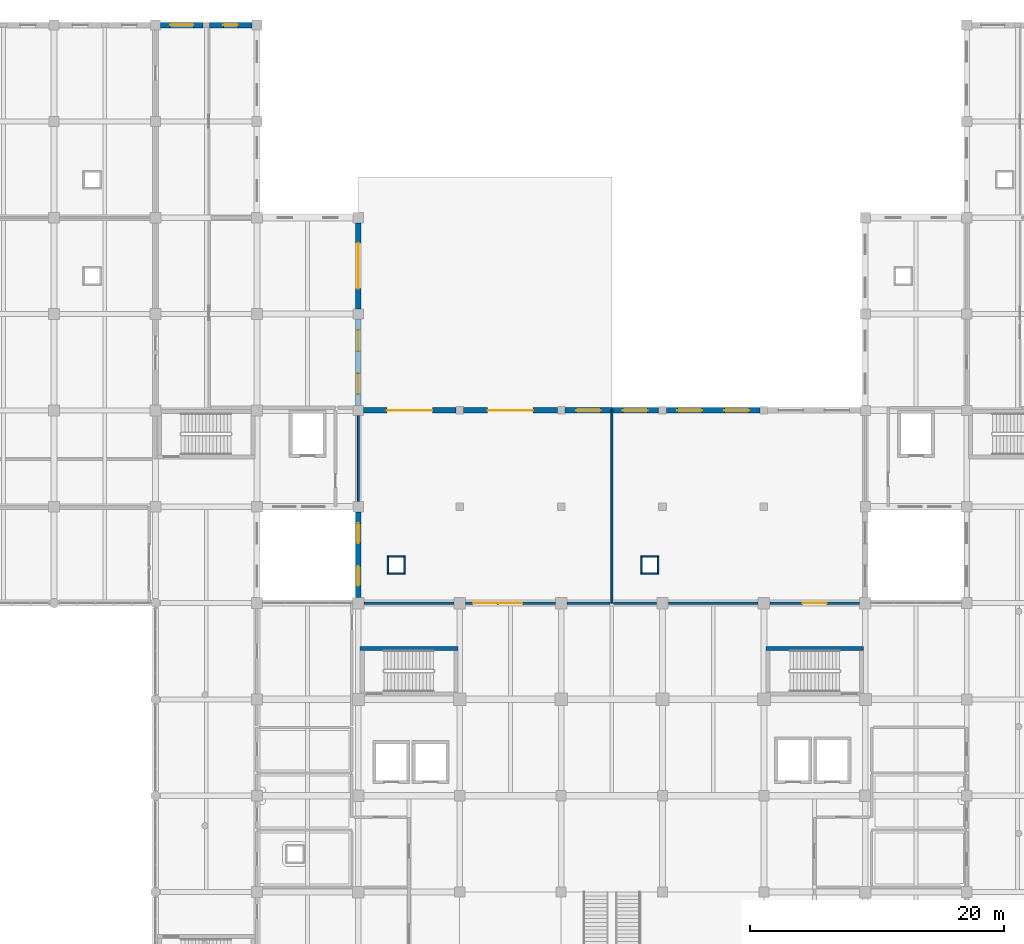
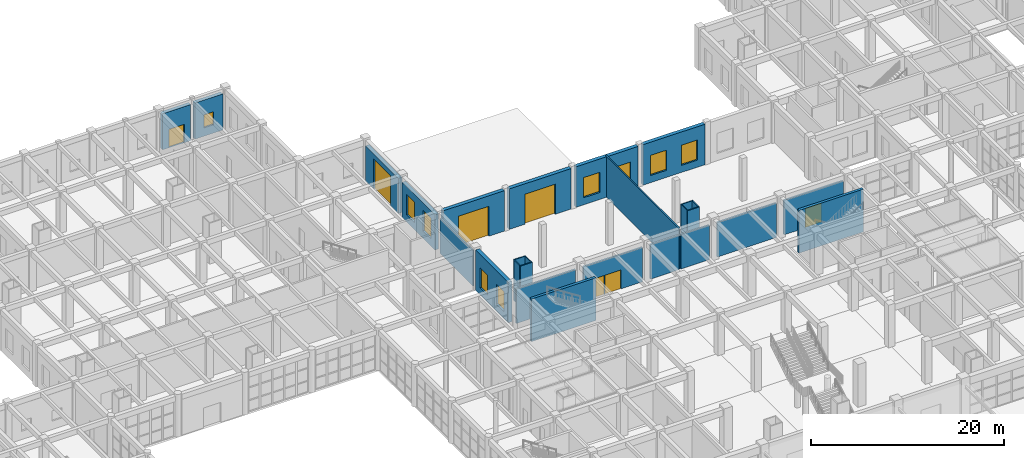
# One storey, part 78 of 95: 28 walls, 9 windows, 7 doors, 16 openings.
"""IFC4 building model written with IfcOpenShell, lengths in metres."""

from ifc_helpers import new_model, si_unit, direction, frame, frame_2d, origin, place, context, subcontext, project, spatial, rectangle, extrude, material, layer, layer_set, type_object, element, fill, save


model = new_model("IFC4")

# Units and contexts
model_context = context("Model", 3, precision=1e-05, world=origin(), true_north=direction((0.0, 1.0)))
body_context = subcontext(model_context, "Body", "Model", "MODEL_VIEW")
ifc_project = project(units=[si_unit("LENGTHUNIT", "METRE"), si_unit("AREAUNIT", "SQUARE_METRE"), si_unit("VOLUMEUNIT", "CUBIC_METRE"), si_unit("PLANEANGLEUNIT", "RADIAN"), si_unit("MASSUNIT", "GRAM", prefix="KILO")], contexts=[model_context])

# Site, building, storey
site_placement = place(None, origin())
site = spatial("IfcSite", under=ifc_project, at=site_placement, CompositionType="ELEMENT")
building_placement = place(site_placement, origin())
building = spatial("IfcBuilding", under=site, at=building_placement, Name="Zantavel Square City Hall", CompositionType="ELEMENT")
storey_placement = place(building_placement, origin())
storey = spatial("IfcBuildingStorey", under=building, at=storey_placement, Name="L01", CompositionType="ELEMENT", Elevation=0.0)

# Walls
ifc_material_1 = material(Name="Concrete C40/50", Category="concrete")
ifc_layer_1 = layer(ifc_material_1, 0.320068359375, Name="Concrete C40/50")
ifc_layer_set_1 = layer_set([ifc_layer_1], Name="Concrete C40/50")
wall_type_1 = type_object("IfcWallType", Name="Core Shear Wall RC 320mm C40/50", PredefinedType="SHEAR", material=ifc_layer_set_1)
for number, where, z_axis, x_axis, name in (
    (1, (64.14990234375, 64.830078125, 0.0), (0.0, 0.0, 1.0), (1.0, 0.0, 0.0), "L01 Exit Stair 5 Central West Core Shear Wall North"),
    (2, (96.14990234375, 64.830078125, 0.0), (0.0, 0.0, 1.0), (1.0, 0.0, 0.0), "L01 Exit Stair 6 Central East Core Shear Wall North"),
):
    element("IfcWall", number, at=place(storey_placement, frame(where, z_axis=z_axis, x_axis=x_axis)), inside=storey, type_object=wall_type_1, Name=name, PredefinedType="SHEAR", context=body_context, shape_type="SweptSolid", body=[
        extrude(rectangle(XDim=7.7001953125, YDim=0.320068359375, at=frame_2d((3.85009765625, 0.0))), origin(), (0.0, 0.0, 1.0), 5.39990234375),
    ])
ifc_material_2 = material(Name="Gypsum acoustic stud assembly", Category="masonry")
ifc_layer_2 = layer(ifc_material_2, 0.14990234375, Name="Gypsum acoustic stud assembly")
ifc_layer_set_2 = layer_set([ifc_layer_2], Name="Gypsum acoustic stud assembly")
wall_type_2 = type_object("IfcWallType", Name="Department Office Partition 150mm", PredefinedType="PARTITIONING", material=ifc_layer_set_2)
wall_1_placement = place(storey_placement, frame((84.0, 83.60009765625, 0.0), z_axis=(0.0, 0.0, 1.0), x_axis=(0.0, -1.0, 0.0)))
element("IfcWall", 3, at=wall_1_placement, inside=storey, type_object=wall_type_2, Name="L01 Interior Wall IW-L01-0137", PredefinedType="PARTITIONING", context=body_context, shape_type="SweptSolid", body=[
    extrude(rectangle(XDim=15.2001953125, YDim=0.14990234375, at=frame_2d((7.60009765625, 0.0))), origin(), (0.0, 0.0, 1.0), 5.159912109375),
])
wall_2_placement = place(storey_placement, frame((64.0, 76.409912109375, 0.0), z_axis=(0.0, 0.0, 1.0), x_axis=(0.0, 1.0, 0.0)))
element("IfcWall", 4, at=wall_2_placement, inside=storey, type_object=wall_type_2, Name="L01 Interior Wall IW-L01-0141", PredefinedType="PARTITIONING", context=body_context, shape_type="SweptSolid", body=[
    extrude(rectangle(XDim=6.780029296875, YDim=0.14990234375, at=frame_2d((3.39013671875, 0.0))), origin(), (0.0, 0.0, 1.0), 4.4599609375),
])
ifc_material_3 = material(Name="Cantera volcanic tuff stone", Category="masonry")
ifc_layer_3 = layer(ifc_material_3, 0.199951171875, Name="Cantera volcanic tuff stone")
ifc_layer_set_3 = layer_set([ifc_layer_3], Name="Cantera volcanic tuff stone")
wall_type_3 = type_object("IfcWallType", Name="Exit Corridor Rated Wall 200mm", PredefinedType="STANDARD", material=ifc_layer_set_3)
wall_3_placement = place(storey_placement, frame((83.875, 68.39990234375, 0.0), z_axis=(0.0, 0.0, 1.0), x_axis=(-1.0, 0.0, 0.0)))
element("IfcWall", 5, at=wall_3_placement, inside=storey, type_object=wall_type_3, Name="L01 Interior Wall IW-L01-0138", PredefinedType="STANDARD", context=body_context, shape_type="SweptSolid", body=[
    extrude(rectangle(XDim=3.4150390625, YDim=0.199951171875, at=frame_2d((1.70751953125, 0.0))), origin(), (0.0, 0.0, 1.0), 4.360107421875),
])

# Wall, openings, doors
wall_4_placement = place(storey_placement, frame((79.5400390625, 68.39990234375, 0.0), z_axis=(0.0, 0.0, 1.0), x_axis=(-1.0, 0.0, 0.0)))
wall_4 = element("IfcWall", 6, at=wall_4_placement, inside=storey, type_object=wall_type_3, Name="L01 Interior Wall IW-L01-0139", PredefinedType="STANDARD", context=body_context, shape_type="SweptSolid", body=[
    extrude(rectangle(XDim=7.080078125, YDim=0.199951171875, at=frame_2d((3.5400390625, 0.0))), origin(), (0.0, 0.0, 1.0), 4.360107421875),
])
opening_1_placement = place(wall_4_placement, frame((2.590087890625, 0.0, 0.0)))
opening_1 = element("IfcOpeningElement", 7, at=opening_1_placement, cuts=wall_4, Name="Opening D-0052", PredefinedType="OPENING", context=body_context, shape_type="SweptSolid", body=[
    extrude(rectangle(XDim=1.89990234375, YDim=2.39990234375, at=frame_2d((0.949951171875, 1.199951171875))), frame((0.0, 0.10986328125, 0.0), z_axis=(0.0, -1.0, 0.0), x_axis=(1.0, 0.0, 0.0)), (0.0, 0.0, 1.0), 0.219970703125),
])
opening_2_placement = place(wall_4_placement, frame((4.590087890625, 0.0, 0.0)))
opening_2 = element("IfcOpeningElement", 8, at=opening_2_placement, cuts=wall_4, Name="Opening D-0073", PredefinedType="OPENING", context=body_context, shape_type="SweptSolid", body=[
    extrude(rectangle(XDim=1.89990234375, YDim=2.39990234375, at=frame_2d((0.949951171875, 1.199951171875))), frame((0.0, 0.10986328125, 0.0), z_axis=(0.0, -1.0, 0.0), x_axis=(1.0, 0.0, 0.0)), (0.0, 0.0, 1.0), 0.219970703125),
])
ifc_material_4 = material(Name="Solid oak hardwood", Category="wood")
door_type_1 = type_object("IfcDoorType", Name="Civic Hall Oak Fire Double Door 1900x2400 FD60S", OperationType="NOTDEFINED", PredefinedType="DOOR", material=ifc_material_4)
door_1_placement = place(opening_1_placement, origin())
door_1 = element("IfcDoor", 9, at=door_1_placement, inside=storey, type_object=door_type_1, Name="L01 North-West Civic Concourse Door", OperationType="DOUBLE_DOOR_SINGLE_SWING", OverallHeight=2.39990234375, OverallWidth=1.89990234375, PredefinedType="DOOR", context=body_context, shape_type="SweptSolid", body=[
    extrude(rectangle(XDim=1.89990234375, YDim=2.39990234375, at=frame_2d((0.949951171875, 1.199951171875))), frame((0.0, 0.02490234375, 0.0), z_axis=(0.0, -1.0, 0.0), x_axis=(1.0, 0.0, 0.0)), (0.0, 0.0, 1.0), 0.050048828125),
])
fill(opening_1, door_1)
door_2_placement = place(opening_2_placement, origin())
door_2 = element("IfcDoor", 10, at=door_2_placement, inside=storey, type_object=door_type_1, Name="L01 North-West Civic Concourse Door", OperationType="DOUBLE_DOOR_SINGLE_SWING", OverallHeight=2.39990234375, OverallWidth=1.89990234375, PredefinedType="DOOR", context=body_context, shape_type="SweptSolid", body=[
    extrude(rectangle(XDim=1.89990234375, YDim=2.39990234375, at=frame_2d((0.949951171875, 1.199951171875))), frame((0.0, 0.02490234375, 0.0), z_axis=(0.0, -1.0, 0.0), x_axis=(1.0, 0.0, 0.0)), (0.0, 0.0, 1.0), 0.050048828125),
])
fill(opening_2, door_2)

# Wall
wall_5_placement = place(storey_placement, frame((71.5400390625, 68.39990234375, 0.0), z_axis=(0.0, 0.0, 1.0), x_axis=(-1.0, 0.0, 0.0)))
element("IfcWall", 11, at=wall_5_placement, inside=storey, type_object=wall_type_3, Name="L01 Interior Wall IW-L01-0140", PredefinedType="STANDARD", context=body_context, shape_type="SweptSolid", body=[
    extrude(rectangle(XDim=7.080078125, YDim=0.199951171875, at=frame_2d((3.5400390625, 0.0))), origin(), (0.0, 0.0, 1.0), 4.360107421875),
])

# Wall, opening, door
wall_6_placement = place(storey_placement, frame((103.5400390625, 68.39990234375, 0.0), z_axis=(0.0, 0.0, 1.0), x_axis=(-1.0, 0.0, 0.0)))
wall_6 = element("IfcWall", 12, at=wall_6_placement, inside=storey, type_object=wall_type_3, Name="L01 Interior Wall IW-L01-0142", PredefinedType="STANDARD", context=body_context, shape_type="SweptSolid", body=[
    extrude(rectangle(XDim=7.080078125, YDim=0.199951171875, at=frame_2d((3.5400390625, 0.0))), origin(), (0.0, 0.0, 1.0), 4.360107421875),
])
opening_3_placement = place(wall_6_placement, frame((2.590087890625, 0.0, 0.0)))
opening_3 = element("IfcOpeningElement", 13, at=opening_3_placement, cuts=wall_6, Name="Opening D-0053", PredefinedType="OPENING", context=body_context, shape_type="SweptSolid", body=[
    extrude(rectangle(XDim=1.89990234375, YDim=2.39990234375, at=frame_2d((0.949951171875, 1.199951171875))), frame((0.0, 0.10986328125, 0.0), z_axis=(0.0, -1.0, 0.0), x_axis=(1.0, 0.0, 0.0)), (0.0, 0.0, 1.0), 0.219970703125),
])
door_3_placement = place(opening_3_placement, origin())
door_3 = element("IfcDoor", 14, at=door_3_placement, inside=storey, type_object=door_type_1, Name="L01 North-East Civic Concourse Door", OperationType="DOUBLE_DOOR_SINGLE_SWING", OverallHeight=2.39990234375, OverallWidth=1.89990234375, PredefinedType="DOOR", context=body_context, shape_type="SweptSolid", body=[
    extrude(rectangle(XDim=1.89990234375, YDim=2.39990234375, at=frame_2d((0.949951171875, 1.199951171875))), frame((0.0, 0.02490234375, 0.0), z_axis=(0.0, -1.0, 0.0), x_axis=(1.0, 0.0, 0.0)), (0.0, 0.0, 1.0), 0.050048828125),
])
fill(opening_3, door_3)

# Walls
wall_7_placement = place(storey_placement, frame((95.5400390625, 68.39990234375, 0.0), z_axis=(0.0, 0.0, 1.0), x_axis=(-1.0, 0.0, 0.0)))
element("IfcWall", 15, at=wall_7_placement, inside=storey, type_object=wall_type_3, Name="L01 Interior Wall IW-L01-0143", PredefinedType="STANDARD", context=body_context, shape_type="SweptSolid", body=[
    extrude(rectangle(XDim=7.080078125, YDim=0.199951171875, at=frame_2d((3.5400390625, 0.0))), origin(), (0.0, 0.0, 1.0), 4.360107421875),
])
wall_8_placement = place(storey_placement, frame((87.5400390625, 68.39990234375, 0.0), z_axis=(0.0, 0.0, 1.0), x_axis=(-1.0, 0.0, 0.0)))
element("IfcWall", 16, at=wall_8_placement, inside=storey, type_object=wall_type_3, Name="L01 Interior Wall IW-L01-0144", PredefinedType="STANDARD", context=body_context, shape_type="SweptSolid", body=[
    extrude(rectangle(XDim=3.4150390625, YDim=0.199951171875, at=frame_2d((1.70751953125, 0.0))), origin(), (0.0, 0.0, 1.0), 4.360107421875),
])
ifc_material_5 = material(Name="Concrete C35/45", Category="concrete")
ifc_layer_4 = layer(ifc_material_5, 0.1201171875, Name="Concrete C35/45")
ifc_layer_set_4 = layer_set([ifc_layer_4], Name="Concrete C35/45")
wall_type_4 = type_object("IfcWallType", Name="Riser Chase Wall RC 120mm C35/45", PredefinedType="PARTITIONING", material=ifc_layer_set_4)
wall_9_placement = place(storey_placement, frame((87.719970703125, 70.739990234375, 0.0), z_axis=(0.0, 0.0, 1.0), x_axis=(-1.0, 0.0, 0.0)))
element("IfcWall", 17, at=wall_9_placement, inside=storey, type_object=wall_type_4, Name="L01 MEP Riser 25 Wall S", PredefinedType="PARTITIONING", context=body_context, shape_type="SweptSolid", body=[
    extrude(rectangle(XDim=1.43994140625, YDim=0.1201171875, at=frame_2d((0.719970703125, 0.0))), origin(), (0.0, 0.0, 1.0), 5.159912109375),
])
wall_10_placement = place(storey_placement, frame((86.340087890625, 70.800048828125, 0.0), z_axis=(0.0, 0.0, 1.0), x_axis=(0.0, 1.0, 0.0)))
element("IfcWall", 18, at=wall_10_placement, inside=storey, type_object=wall_type_4, Name="L01 MEP Riser 25 Wall W", PredefinedType="PARTITIONING", context=body_context, shape_type="SweptSolid", body=[
    extrude(rectangle(XDim=1.199951171875, YDim=0.1201171875, at=frame_2d((0.60009765625, 0.0))), origin(), (0.0, 0.0, 1.0), 5.159912109375),
])
wall_11_placement = place(storey_placement, frame((86.280029296875, 72.06005859375, 0.0), z_axis=(0.0, 0.0, 1.0), x_axis=(1.0, 0.0, 0.0)))
element("IfcWall", 19, at=wall_11_placement, inside=storey, type_object=wall_type_4, Name="L01 MEP Riser 25 Wall N", PredefinedType="PARTITIONING", context=body_context, shape_type="SweptSolid", body=[
    extrude(rectangle(XDim=1.43994140625, YDim=0.1201171875, at=frame_2d((0.719970703125, 0.0))), origin(), (0.0, 0.0, 1.0), 5.159912109375),
])
wall_12_placement = place(storey_placement, frame((87.659912109375, 72.0, 0.0), z_axis=(0.0, 0.0, 1.0), x_axis=(0.0, -1.0, 0.0)))
element("IfcWall", 20, at=wall_12_placement, inside=storey, type_object=wall_type_4, Name="L01 MEP Riser 25 Wall E", PredefinedType="PARTITIONING", context=body_context, shape_type="SweptSolid", body=[
    extrude(rectangle(XDim=1.199951171875, YDim=0.1201171875, at=frame_2d((0.60009765625, 0.0))), origin(), (0.0, 0.0, 1.0), 5.159912109375),
])
wall_13_placement = place(storey_placement, frame((67.719970703125, 70.739990234375, 0.0), z_axis=(0.0, 0.0, 1.0), x_axis=(-1.0, 0.0, 0.0)))
element("IfcWall", 21, at=wall_13_placement, inside=storey, type_object=wall_type_4, Name="L01 MEP Riser 31 Wall S", PredefinedType="PARTITIONING", context=body_context, shape_type="SweptSolid", body=[
    extrude(rectangle(XDim=1.43994140625, YDim=0.1201171875, at=frame_2d((0.719970703125, 0.0))), origin(), (0.0, 0.0, 1.0), 5.159912109375),
])
wall_14_placement = place(storey_placement, frame((66.340087890625, 70.800048828125, 0.0), z_axis=(0.0, 0.0, 1.0), x_axis=(0.0, 1.0, 0.0)))
element("IfcWall", 22, at=wall_14_placement, inside=storey, type_object=wall_type_4, Name="L01 MEP Riser 31 Wall W", PredefinedType="PARTITIONING", context=body_context, shape_type="SweptSolid", body=[
    extrude(rectangle(XDim=1.199951171875, YDim=0.1201171875, at=frame_2d((0.60009765625, 0.0))), origin(), (0.0, 0.0, 1.0), 5.159912109375),
])
wall_15_placement = place(storey_placement, frame((66.280029296875, 72.06005859375, 0.0), z_axis=(0.0, 0.0, 1.0), x_axis=(1.0, 0.0, 0.0)))
element("IfcWall", 23, at=wall_15_placement, inside=storey, type_object=wall_type_4, Name="L01 MEP Riser 31 Wall N", PredefinedType="PARTITIONING", context=body_context, shape_type="SweptSolid", body=[
    extrude(rectangle(XDim=1.43994140625, YDim=0.1201171875, at=frame_2d((0.719970703125, 0.0))), origin(), (0.0, 0.0, 1.0), 5.159912109375),
])
wall_16_placement = place(storey_placement, frame((67.659912109375, 72.0, 0.0), z_axis=(0.0, 0.0, 1.0), x_axis=(0.0, -1.0, 0.0)))
element("IfcWall", 24, at=wall_16_placement, inside=storey, type_object=wall_type_4, Name="L01 MEP Riser 31 Wall E", PredefinedType="PARTITIONING", context=body_context, shape_type="SweptSolid", body=[
    extrude(rectangle(XDim=1.199951171875, YDim=0.1201171875, at=frame_2d((0.60009765625, 0.0))), origin(), (0.0, 0.0, 1.0), 5.159912109375),
])

# Wall, opening, door
ifc_material_6 = material(Name="Tezontle volcanic basaltic scoria stone", Category="masonry")
ifc_layer_5 = layer(ifc_material_6, 0.43994140625, Name="Tezontle volcanic basaltic scoria stone")
ifc_layer_set_5 = layer_set([ifc_layer_5], Name="Tezontle volcanic basaltic scoria stone")
wall_type_5 = type_object("IfcWallType", Name="Tezontle Rusticated Plinth Wall 440mm", PredefinedType="STANDARD", material=ifc_layer_set_5)
wall_17_placement = place(storey_placement, frame((48.39990234375, 114.0, 0.0), z_axis=(0.0, 0.0, 1.0), x_axis=(1.0, 0.0, 0.0)))
wall_17 = element("IfcWall", 25, at=wall_17_placement, inside=storey, type_object=wall_type_5, Name="L01 Exterior Wall EW-L01-016", PredefinedType="STANDARD", context=body_context, shape_type="SweptSolid", body=[
    extrude(rectangle(XDim=3.35009765625, YDim=0.43994140625, at=frame_2d((1.675048828125, 0.0))), origin(), (0.0, 0.0, 1.0), 4.56005859375),
])
opening_4_placement = place(wall_17_placement, frame((0.7548828125, 0.0, 0.0)))
opening_4 = element("IfcOpeningElement", 26, at=opening_4_placement, cuts=wall_17, Name="Opening ED-001", PredefinedType="OPENING", context=body_context, shape_type="SweptSolid", body=[
    extrude(rectangle(XDim=1.840087890625, YDim=2.320068359375, at=frame_2d((0.919921875, 1.16015625))), frame((0.0, 0.22998046875, 0.0), z_axis=(0.0, -1.0, 0.0), x_axis=(1.0, 0.0, 0.0)), (0.0, 0.0, 1.0), 0.4599609375),
])
ifc_material_7 = material(Name="Steel ASTM A500 Grade B", Category="steel")
door_type_2 = type_object("IfcDoorType", Name="Stair Final Discharge Exit Door 1840x2320", OperationType="NOTDEFINED", PredefinedType="DOOR", material=ifc_material_7)
door_4_placement = place(opening_4_placement, origin())
door_4 = element("IfcDoor", 27, at=door_4_placement, inside=storey, type_object=door_type_2, Name="North-West Wing Street Exit", OperationType="DOUBLE_DOOR_SINGLE_SWING", OverallHeight=2.320068359375, OverallWidth=1.840087890625, PredefinedType="DOOR", context=body_context, shape_type="SweptSolid", body=[
    extrude(rectangle(XDim=1.840087890625, YDim=2.320068359375, at=frame_2d((0.919921875, 1.16015625))), frame((0.0, 0.02490234375, 0.0), z_axis=(0.0, -1.0, 0.0), x_axis=(1.0, 0.0, 0.0)), (0.0, 0.0, 1.0), 0.050048828125),
])
fill(opening_4, door_4)

# Wall, opening, window
wall_18_placement = place(storey_placement, frame((52.25, 114.0, 0.0), z_axis=(0.0, 0.0, 1.0), x_axis=(1.0, 0.0, 0.0)))
wall_18 = element("IfcWall", 28, at=wall_18_placement, inside=storey, type_object=wall_type_5, Name="L01 Exterior Wall EW-L01-017", PredefinedType="STANDARD", context=body_context, shape_type="SweptSolid", body=[
    extrude(rectangle(XDim=3.35009765625, YDim=0.43994140625, at=frame_2d((1.675048828125, 0.0))), origin(), (0.0, 0.0, 1.0), 4.56005859375),
])
opening_5_placement = place(wall_18_placement, frame((1.10009765625, 0.0, 1.050048828125)))
opening_5 = element("IfcOpeningElement", 29, at=opening_5_placement, cuts=wall_18, Name="Opening W-026", PredefinedType="OPENING", context=body_context, shape_type="SweptSolid", body=[
    extrude(rectangle(XDim=1.14990234375, YDim=1.64990234375, at=frame_2d((0.574951171875, 0.824951171875))), frame((0.0, 0.22998046875, 0.0), z_axis=(0.0, -1.0, 0.0), x_axis=(1.0, 0.0, 0.0)), (0.0, 0.0, 1.0), 0.4599609375),
])
ifc_material_8 = material(Name="Tempered safety glass low-E double glazing", Category="glass")
window_type_1 = type_object("IfcWindowType", Name="Window Ground North Compact 1150x1650", PartitioningType="SINGLE_PANEL", PredefinedType="WINDOW", material=ifc_material_8)
window_1_placement = place(opening_5_placement, origin())
window_1 = element("IfcWindow", 30, at=window_1_placement, inside=storey, type_object=window_type_1, Name="L01 Window W-026", OverallHeight=1.64990234375, OverallWidth=1.14990234375, PartitioningType="SINGLE_PANEL", PredefinedType="WINDOW", context=body_context, shape_type="SweptSolid", body=[
    extrude(rectangle(XDim=1.14990234375, YDim=1.64990234375, at=frame_2d((0.574951171875, 0.824951171875))), frame((0.0, 0.030029296875, 0.0), z_axis=(0.0, -1.0, 0.0), x_axis=(1.0, 0.0, 0.0)), (0.0, 0.0, 1.0), 0.06005859375),
])
fill(opening_5, window_1)

# Wall, opening, door
wall_19_placement = place(storey_placement, frame((64.0, 98.39990234375, 0.0), z_axis=(0.0, 0.0, 1.0), x_axis=(0.0, -1.0, 0.0)))
wall_19 = element("IfcWall", 31, at=wall_19_placement, inside=storey, type_object=wall_type_5, Name="L01 Exterior Wall EW-L01-021", PredefinedType="STANDARD", context=body_context, shape_type="SweptSolid", body=[
    extrude(rectangle(XDim=6.7998046875, YDim=0.43994140625, at=frame_2d((3.39990234375, 0.0))), origin(), (0.0, 0.0, 1.0), 4.4599609375),
])
opening_6_placement = place(wall_19_placement, frame((1.60009765625, 0.0, 0.0)))
opening_6 = element("IfcOpeningElement", 32, at=opening_6_placement, cuts=wall_19, Name="Opening ED-002", PredefinedType="OPENING", context=body_context, shape_type="SweptSolid", body=[
    extrude(rectangle(XDim=3.60009765625, YDim=3.800048828125, at=frame_2d((1.800048828125, 1.89990234375))), frame((0.0, 0.22998046875, 0.0), z_axis=(0.0, -1.0, 0.0), x_axis=(1.0, 0.0, 0.0)), (0.0, 0.0, 1.0), 0.4599609375),
])
door_type_3 = type_object("IfcDoorType", Name="Loading Dock Roller Shutter Gate 3600x3800", OperationType="NOTDEFINED", PredefinedType="GATE", material=ifc_material_7)
door_5_placement = place(opening_6_placement, origin())
door_5 = element("IfcDoor", 33, at=door_5_placement, inside=storey, type_object=door_type_3, Name="Loading Dock Bay 1 Shutter Gate", OperationType="ROLLINGUP", OverallHeight=3.800048828125, OverallWidth=3.60009765625, PredefinedType="GATE", context=body_context, shape_type="SweptSolid", body=[
    extrude(rectangle(XDim=3.60009765625, YDim=3.800048828125, at=frame_2d((1.800048828125, 1.89990234375))), frame((0.0, 0.02490234375, 0.0), z_axis=(0.0, -1.0, 0.0), x_axis=(1.0, 0.0, 0.0)), (0.0, 0.0, 1.0), 0.050048828125),
])
fill(opening_6, door_5)

# Wall, openings, windows
wall_20_placement = place(storey_placement, frame((64.0, 90.800048828125, 0.0), z_axis=(0.0, 0.0, 1.0), x_axis=(0.0, -1.0, 0.0)))
wall_20 = element("IfcWall", 34, at=wall_20_placement, inside=storey, type_object=wall_type_5, Name="L01 Exterior Wall EW-L01-022", PredefinedType="STANDARD", context=body_context, shape_type="SweptSolid", body=[
    extrude(rectangle(XDim=6.800048828125, YDim=0.43994140625, at=frame_2d((3.39990234375, 0.0))), origin(), (0.0, 0.0, 1.0), 4.4599609375),
])
opening_7_placement = place(wall_20_placement, frame((0.875, 0.0, 0.89990234375)))
opening_7 = element("IfcOpeningElement", 35, at=opening_7_placement, cuts=wall_20, Name="Opening W-033", PredefinedType="OPENING", context=body_context, shape_type="SweptSolid", body=[
    extrude(rectangle(XDim=1.64990234375, YDim=2.60009765625, at=frame_2d((0.824951171875, 1.300048828125))), frame((0.0, 0.22998046875, 0.0), z_axis=(0.0, -1.0, 0.0), x_axis=(1.0, 0.0, 0.0)), (0.0, 0.0, 1.0), 0.4599609375),
])
opening_8_placement = place(wall_20_placement, frame((4.27490234375, 0.0, 0.89990234375)))
opening_8 = element("IfcOpeningElement", 36, at=opening_8_placement, cuts=wall_20, Name="Opening W-034", PredefinedType="OPENING", context=body_context, shape_type="SweptSolid", body=[
    extrude(rectangle(XDim=1.64990234375, YDim=2.60009765625, at=frame_2d((0.824951171875, 1.300048828125))), frame((0.0, 0.22998046875, 0.0), z_axis=(0.0, -1.0, 0.0), x_axis=(1.0, 0.0, 0.0)), (0.0, 0.0, 1.0), 0.4599609375),
])
window_type_2 = type_object("IfcWindowType", Name="Window Ground Civic Tall 1650x2600", PartitioningType="DOUBLE_PANEL_VERTICAL", PredefinedType="WINDOW", material=ifc_material_8)
window_2_placement = place(opening_7_placement, origin())
window_2 = element("IfcWindow", 37, at=window_2_placement, inside=storey, type_object=window_type_2, Name="L01 Window W-033", OverallHeight=2.60009765625, OverallWidth=1.64990234375, PartitioningType="DOUBLE_PANEL_VERTICAL", PredefinedType="WINDOW", context=body_context, shape_type="SweptSolid", body=[
    extrude(rectangle(XDim=1.64990234375, YDim=2.60009765625, at=frame_2d((0.824951171875, 1.300048828125))), frame((0.0, 0.030029296875, 0.0), z_axis=(0.0, -1.0, 0.0), x_axis=(1.0, 0.0, 0.0)), (0.0, 0.0, 1.0), 0.06005859375),
])
fill(opening_7, window_2)
window_3_placement = place(opening_8_placement, origin())
window_3 = element("IfcWindow", 38, at=window_3_placement, inside=storey, type_object=window_type_2, Name="L01 Window W-034", OverallHeight=2.60009765625, OverallWidth=1.64990234375, PartitioningType="DOUBLE_PANEL_VERTICAL", PredefinedType="WINDOW", context=body_context, shape_type="SweptSolid", body=[
    extrude(rectangle(XDim=1.64990234375, YDim=2.60009765625, at=frame_2d((0.824951171875, 1.300048828125))), frame((0.0, 0.030029296875, 0.0), z_axis=(0.0, -1.0, 0.0), x_axis=(1.0, 0.0, 0.0)), (0.0, 0.0, 1.0), 0.06005859375),
])
fill(opening_8, window_3)

# Wall, opening, door
wall_21_placement = place(storey_placement, frame((64.39990234375, 83.60009765625, 0.0), z_axis=(0.0, 0.0, 1.0), x_axis=(1.0, 0.0, 0.0)))
wall_21 = element("IfcWall", 39, at=wall_21_placement, inside=storey, type_object=wall_type_5, Name="L01 Exterior Wall EW-L01-023", PredefinedType="STANDARD", context=body_context, shape_type="SweptSolid", body=[
    extrude(rectangle(XDim=7.300048828125, YDim=0.43994140625, at=frame_2d((3.64990234375, 0.0))), origin(), (0.0, 0.0, 1.0), 5.1201171875),
])
opening_9_placement = place(wall_21_placement, frame((1.85009765625, 0.0, 0.0)))
opening_9 = element("IfcOpeningElement", 40, at=opening_9_placement, cuts=wall_21, Name="Opening ED-003", PredefinedType="OPENING", context=body_context, shape_type="SweptSolid", body=[
    extrude(rectangle(XDim=3.60009765625, YDim=3.800048828125, at=frame_2d((1.800048828125, 1.89990234375))), frame((0.0, 0.22998046875, 0.0), z_axis=(0.0, -1.0, 0.0), x_axis=(1.0, 0.0, 0.0)), (0.0, 0.0, 1.0), 0.4599609375),
])
door_6_placement = place(opening_9_placement, origin())
door_6 = element("IfcDoor", 41, at=door_6_placement, inside=storey, type_object=door_type_3, Name="Service Apron Bay 2 Shutter Gate", OperationType="ROLLINGUP", OverallHeight=3.800048828125, OverallWidth=3.60009765625, PredefinedType="GATE", context=body_context, shape_type="SweptSolid", body=[
    extrude(rectangle(XDim=3.60009765625, YDim=3.800048828125, at=frame_2d((1.800048828125, 1.89990234375))), frame((0.0, 0.02490234375, 0.0), z_axis=(0.0, -1.0, 0.0), x_axis=(1.0, 0.0, 0.0)), (0.0, 0.0, 1.0), 0.050048828125),
])
fill(opening_9, door_6)

wall_22_placement = place(storey_placement, frame((72.300048828125, 83.60009765625, 0.0), z_axis=(0.0, 0.0, 1.0), x_axis=(1.0, 0.0, 0.0)))
wall_22 = element("IfcWall", 42, at=wall_22_placement, inside=storey, type_object=wall_type_5, Name="L01 Exterior Wall EW-L01-024", PredefinedType="STANDARD", context=body_context, shape_type="SweptSolid", body=[
    extrude(rectangle(XDim=7.39990234375, YDim=0.43994140625, at=frame_2d((3.699951171875, 0.0))), origin(), (0.0, 0.0, 1.0), 5.1201171875),
])
opening_10_placement = place(wall_22_placement, frame((1.89990234375, 0.0, 0.0)))
opening_10 = element("IfcOpeningElement", 43, at=opening_10_placement, cuts=wall_22, Name="Opening ED-004", PredefinedType="OPENING", context=body_context, shape_type="SweptSolid", body=[
    extrude(rectangle(XDim=3.60009765625, YDim=3.800048828125, at=frame_2d((1.800048828125, 1.89990234375))), frame((0.0, 0.22998046875, 0.0), z_axis=(0.0, -1.0, 0.0), x_axis=(1.0, 0.0, 0.0)), (0.0, 0.0, 1.0), 0.4599609375),
])
door_7_placement = place(opening_10_placement, origin())
door_7 = element("IfcDoor", 44, at=door_7_placement, inside=storey, type_object=door_type_3, Name="Service Apron Bay 3 Shutter Gate", OperationType="ROLLINGUP", OverallHeight=3.800048828125, OverallWidth=3.60009765625, PredefinedType="GATE", context=body_context, shape_type="SweptSolid", body=[
    extrude(rectangle(XDim=3.60009765625, YDim=3.800048828125, at=frame_2d((1.800048828125, 1.89990234375))), frame((0.0, 0.02490234375, 0.0), z_axis=(0.0, -1.0, 0.0), x_axis=(1.0, 0.0, 0.0)), (0.0, 0.0, 1.0), 0.050048828125),
])
fill(opening_10, door_7)

# Wall, opening, window
wall_23_placement = place(storey_placement, frame((80.300048828125, 83.60009765625, 0.0), z_axis=(0.0, 0.0, 1.0), x_axis=(1.0, 0.0, 0.0)))
wall_23 = element("IfcWall", 45, at=wall_23_placement, inside=storey, type_object=wall_type_5, Name="L01 Exterior Wall EW-L01-025", PredefinedType="STANDARD", context=body_context, shape_type="SweptSolid", body=[
    extrude(rectangle(XDim=3.699951171875, YDim=0.43994140625, at=frame_2d((1.85009765625, 0.0))), origin(), (0.0, 0.0, 1.0), 5.1201171875),
])
opening_11_placement = place(wall_23_placement, frame((0.875, 0.0, 0.89990234375)))
opening_11 = element("IfcOpeningElement", 46, at=opening_11_placement, cuts=wall_23, Name="Opening W-035", PredefinedType="OPENING", context=body_context, shape_type="SweptSolid", body=[
    extrude(rectangle(XDim=1.949951171875, YDim=2.550048828125, at=frame_2d((0.97509765625, 1.27490234375))), frame((0.0, 0.22998046875, 0.0), z_axis=(0.0, -1.0, 0.0), x_axis=(1.0, 0.0, 0.0)), (0.0, 0.0, 1.0), 0.4599609375),
])
window_type_3 = type_object("IfcWindowType", Name="Window Civic Concourse 1950x2550", PartitioningType="TRIPLE_PANEL_VERTICAL", PredefinedType="WINDOW", material=ifc_material_8)
window_4_placement = place(opening_11_placement, origin())
window_4 = element("IfcWindow", 47, at=window_4_placement, inside=storey, type_object=window_type_3, Name="L01 Window W-035", OverallHeight=2.550048828125, OverallWidth=1.949951171875, PartitioningType="TRIPLE_PANEL_VERTICAL", PredefinedType="WINDOW", context=body_context, shape_type="SweptSolid", body=[
    extrude(rectangle(XDim=1.949951171875, YDim=2.550048828125, at=frame_2d((0.97509765625, 1.27490234375))), frame((0.0, 0.030029296875, 0.0), z_axis=(0.0, -1.0, 0.0), x_axis=(1.0, 0.0, 0.0)), (0.0, 0.0, 1.0), 0.06005859375),
])
fill(opening_11, window_4)

wall_24_placement = place(storey_placement, frame((84.0, 83.60009765625, 0.0), z_axis=(0.0, 0.0, 1.0), x_axis=(1.0, 0.0, 0.0)))
wall_24 = element("IfcWall", 48, at=wall_24_placement, inside=storey, type_object=wall_type_5, Name="L01 Exterior Wall EW-L01-026", PredefinedType="STANDARD", context=body_context, shape_type="SweptSolid", body=[
    extrude(rectangle(XDim=3.699951171875, YDim=0.43994140625, at=frame_2d((1.85009765625, 0.0))), origin(), (0.0, 0.0, 1.0), 5.1201171875),
])
opening_12_placement = place(wall_24_placement, frame((0.875, 0.0, 0.89990234375)))
opening_12 = element("IfcOpeningElement", 49, at=opening_12_placement, cuts=wall_24, Name="Opening W-036", PredefinedType="OPENING", context=body_context, shape_type="SweptSolid", body=[
    extrude(rectangle(XDim=1.949951171875, YDim=2.550048828125, at=frame_2d((0.97509765625, 1.27490234375))), frame((0.0, 0.22998046875, 0.0), z_axis=(0.0, -1.0, 0.0), x_axis=(1.0, 0.0, 0.0)), (0.0, 0.0, 1.0), 0.4599609375),
])
window_5_placement = place(opening_12_placement, origin())
window_5 = element("IfcWindow", 50, at=window_5_placement, inside=storey, type_object=window_type_3, Name="L01 Window W-036", OverallHeight=2.550048828125, OverallWidth=1.949951171875, PartitioningType="TRIPLE_PANEL_VERTICAL", PredefinedType="WINDOW", context=body_context, shape_type="SweptSolid", body=[
    extrude(rectangle(XDim=1.949951171875, YDim=2.550048828125, at=frame_2d((0.97509765625, 1.27490234375))), frame((0.0, 0.030029296875, 0.0), z_axis=(0.0, -1.0, 0.0), x_axis=(1.0, 0.0, 0.0)), (0.0, 0.0, 1.0), 0.06005859375),
])
fill(opening_12, window_5)

# Wall, openings, windows
wall_25_placement = place(storey_placement, frame((88.300048828125, 83.60009765625, 0.0), z_axis=(0.0, 0.0, 1.0), x_axis=(1.0, 0.0, 0.0)))
wall_25 = element("IfcWall", 51, at=wall_25_placement, inside=storey, type_object=wall_type_5, Name="L01 Exterior Wall EW-L01-027", PredefinedType="STANDARD", context=body_context, shape_type="SweptSolid", body=[
    extrude(rectangle(XDim=7.39990234375, YDim=0.43994140625, at=frame_2d((3.699951171875, 0.0))), origin(), (0.0, 0.0, 1.0), 5.1201171875),
])
opening_13_placement = place(wall_25_placement, frame((0.875, 0.0, 0.89990234375)))
opening_13 = element("IfcOpeningElement", 52, at=opening_13_placement, cuts=wall_25, Name="Opening W-037", PredefinedType="OPENING", context=body_context, shape_type="SweptSolid", body=[
    extrude(rectangle(XDim=1.949951171875, YDim=2.550048828125, at=frame_2d((0.97509765625, 1.27490234375))), frame((0.0, 0.22998046875, 0.0), z_axis=(0.0, -1.0, 0.0), x_axis=(1.0, 0.0, 0.0)), (0.0, 0.0, 1.0), 0.4599609375),
])
opening_14_placement = place(wall_25_placement, frame((4.574951171875, 0.0, 0.89990234375)))
opening_14 = element("IfcOpeningElement", 53, at=opening_14_placement, cuts=wall_25, Name="Opening W-038", PredefinedType="OPENING", context=body_context, shape_type="SweptSolid", body=[
    extrude(rectangle(XDim=1.949951171875, YDim=2.550048828125, at=frame_2d((0.97509765625, 1.27490234375))), frame((0.0, 0.22998046875, 0.0), z_axis=(0.0, -1.0, 0.0), x_axis=(1.0, 0.0, 0.0)), (0.0, 0.0, 1.0), 0.4599609375),
])
window_6_placement = place(opening_13_placement, origin())
window_6 = element("IfcWindow", 54, at=window_6_placement, inside=storey, type_object=window_type_3, Name="L01 Window W-037", OverallHeight=2.550048828125, OverallWidth=1.949951171875, PartitioningType="TRIPLE_PANEL_VERTICAL", PredefinedType="WINDOW", context=body_context, shape_type="SweptSolid", body=[
    extrude(rectangle(XDim=1.949951171875, YDim=2.550048828125, at=frame_2d((0.97509765625, 1.27490234375))), frame((0.0, 0.030029296875, 0.0), z_axis=(0.0, -1.0, 0.0), x_axis=(1.0, 0.0, 0.0)), (0.0, 0.0, 1.0), 0.06005859375),
])
fill(opening_13, window_6)
window_7_placement = place(opening_14_placement, origin())
window_7 = element("IfcWindow", 55, at=window_7_placement, inside=storey, type_object=window_type_3, Name="L01 Window W-038", OverallHeight=2.550048828125, OverallWidth=1.949951171875, PartitioningType="TRIPLE_PANEL_VERTICAL", PredefinedType="WINDOW", context=body_context, shape_type="SweptSolid", body=[
    extrude(rectangle(XDim=1.949951171875, YDim=2.550048828125, at=frame_2d((0.97509765625, 1.27490234375))), frame((0.0, 0.030029296875, 0.0), z_axis=(0.0, -1.0, 0.0), x_axis=(1.0, 0.0, 0.0)), (0.0, 0.0, 1.0), 0.06005859375),
])
fill(opening_14, window_7)

wall_26_placement = place(storey_placement, frame((64.0, 68.85009765625, 0.0), z_axis=(0.0, 0.0, 1.0), x_axis=(0.0, 1.0, 0.0)))
wall_26 = element("IfcWall", 56, at=wall_26_placement, inside=storey, type_object=wall_type_5, Name="L01 Exterior Wall EW-L01-103", PredefinedType="STANDARD", context=body_context, shape_type="SweptSolid", body=[
    extrude(rectangle(XDim=6.75, YDim=0.43994140625, at=frame_2d((3.375, 0.0))), origin(), (0.0, 0.0, 1.0), 5.1201171875),
])
opening_15_placement = place(wall_26_placement, frame((0.91259765625, 0.0, 0.89990234375)))
opening_15 = element("IfcOpeningElement", 57, at=opening_15_placement, cuts=wall_26, Name="Opening W-139", PredefinedType="OPENING", context=body_context, shape_type="SweptSolid", body=[
    extrude(rectangle(XDim=1.550048828125, YDim=2.5, at=frame_2d((0.77490234375, 1.25))), frame((0.0, 0.22998046875, 0.0), z_axis=(0.0, -1.0, 0.0), x_axis=(1.0, 0.0, 0.0)), (0.0, 0.0, 1.0), 0.4599609375),
])
opening_16_placement = place(wall_26_placement, frame((4.28759765625, 0.0, 0.89990234375)))
opening_16 = element("IfcOpeningElement", 58, at=opening_16_placement, cuts=wall_26, Name="Opening W-140", PredefinedType="OPENING", context=body_context, shape_type="SweptSolid", body=[
    extrude(rectangle(XDim=1.550048828125, YDim=2.5, at=frame_2d((0.77490234375, 1.25))), frame((0.0, 0.22998046875, 0.0), z_axis=(0.0, -1.0, 0.0), x_axis=(1.0, 0.0, 0.0)), (0.0, 0.0, 1.0), 0.4599609375),
])
window_type_4 = type_object("IfcWindowType", Name="Window Ground Annex 1550x2500", PartitioningType="DOUBLE_PANEL_VERTICAL", PredefinedType="WINDOW", material=ifc_material_8)
window_8_placement = place(opening_15_placement, origin())
window_8 = element("IfcWindow", 59, at=window_8_placement, inside=storey, type_object=window_type_4, Name="L01 Window W-139", OverallHeight=2.5, OverallWidth=1.550048828125, PartitioningType="DOUBLE_PANEL_VERTICAL", PredefinedType="WINDOW", context=body_context, shape_type="SweptSolid", body=[
    extrude(rectangle(XDim=1.550048828125, YDim=2.5, at=frame_2d((0.77490234375, 1.25))), frame((0.0, 0.030029296875, 0.0), z_axis=(0.0, -1.0, 0.0), x_axis=(1.0, 0.0, 0.0)), (0.0, 0.0, 1.0), 0.06005859375),
])
fill(opening_15, window_8)
window_9_placement = place(opening_16_placement, origin())
window_9 = element("IfcWindow", 60, at=window_9_placement, inside=storey, type_object=window_type_4, Name="L01 Window W-140", OverallHeight=2.5, OverallWidth=1.550048828125, PartitioningType="DOUBLE_PANEL_VERTICAL", PredefinedType="WINDOW", context=body_context, shape_type="SweptSolid", body=[
    extrude(rectangle(XDim=1.550048828125, YDim=2.5, at=frame_2d((0.77490234375, 1.25))), frame((0.0, 0.030029296875, 0.0), z_axis=(0.0, -1.0, 0.0), x_axis=(1.0, 0.0, 0.0)), (0.0, 0.0, 1.0), 0.06005859375),
])
fill(opening_16, window_9)

save(model, "model.ifc")
